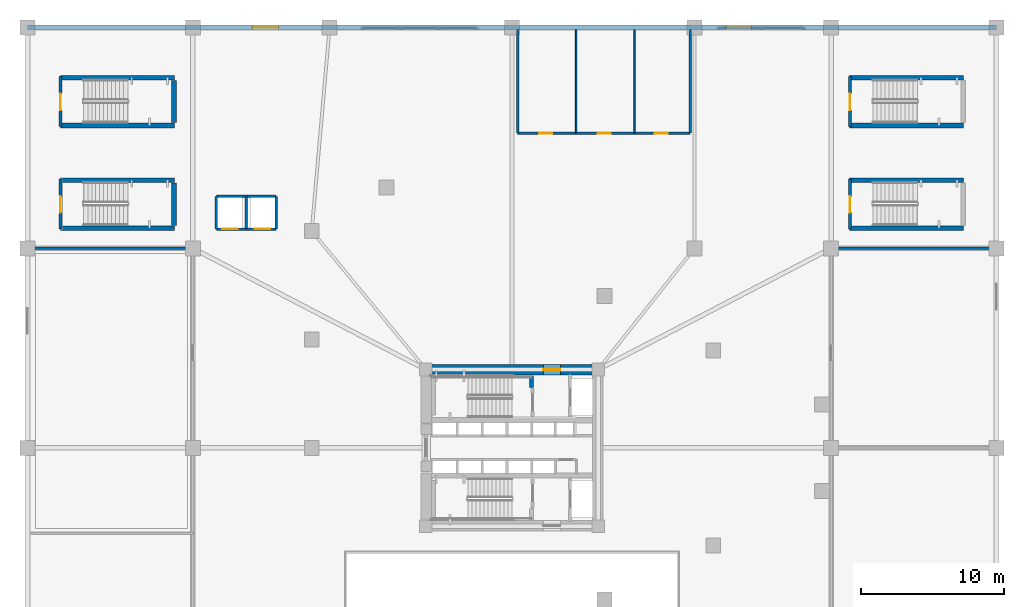
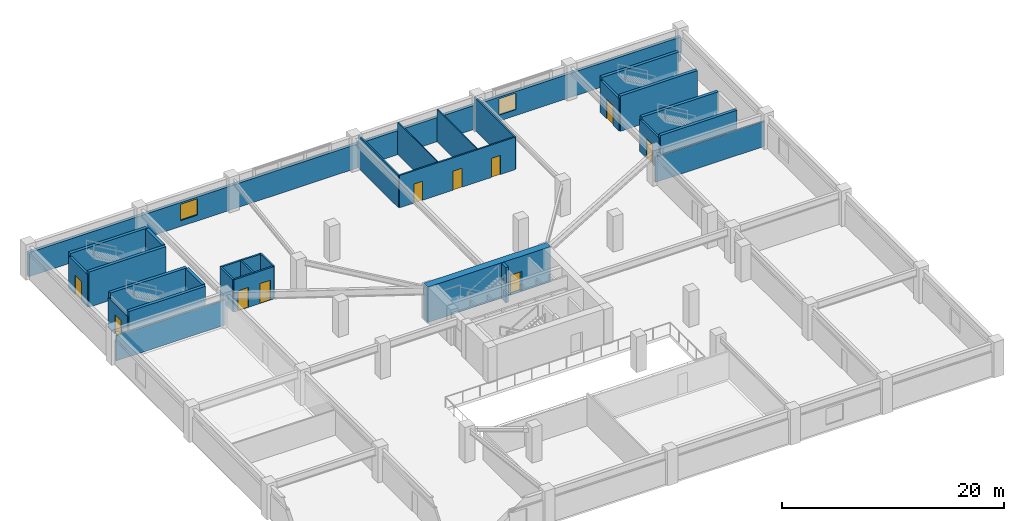
# One storey, part 6 of 16: 29 walls, 10 doors, 2 windows, 12 openings.
"""IFC4 building model written with IfcOpenShell, lengths in metres."""

from ifc_helpers import new_model, si_unit, direction, frame, frame_2d, origin, place, context, subcontext, project, spatial, rectangle, extrude, material, layer, layer_set, type_object, element, fill, save


model = new_model("IFC4")

# Units and contexts
model_context = context("Model", 3, precision=1e-05, world=origin(), true_north=direction((0.0, 1.0)))
body_context = subcontext(model_context, "Body", "Model", "MODEL_VIEW")
ifc_project = project(units=[si_unit("LENGTHUNIT", "METRE"), si_unit("AREAUNIT", "SQUARE_METRE"), si_unit("VOLUMEUNIT", "CUBIC_METRE"), si_unit("PLANEANGLEUNIT", "RADIAN"), si_unit("MASSUNIT", "GRAM", prefix="KILO")], contexts=[model_context])

# Site, building, storey
site_placement = place(None, origin())
site = spatial("IfcSite", under=ifc_project, at=site_placement, CompositionType="ELEMENT")
building_placement = place(site_placement, origin())
building = spatial("IfcBuilding", under=site, at=building_placement, Name="Yunling Apex Tower", CompositionType="ELEMENT")
storey_placement = place(building_placement, frame((0.0, 0.0, 4.5)))
storey = spatial("IfcBuildingStorey", under=building, at=storey_placement, Name="L02", CompositionType="ELEMENT", Elevation=4.5)

# Wall, opening, door
ifc_material_1 = material(Name="Concrete C60", Category="concrete")
ifc_layer_1 = layer(ifc_material_1, 0.75)
ifc_layer_set_1 = layer_set([ifc_layer_1], Name="Concrete C60")
wall_type_1 = type_object("IfcWallType", Name="WL-COR-1", PredefinedType="SHEAR", material=ifc_layer_set_1)
wall_1_placement = place(storey_placement, frame((-6.39990234375, 5.47509765625, 0.0), z_axis=(0.0, 0.0, 1.0), x_axis=(1.0, 0.0, 0.0)))
wall_1 = element("IfcWall", 1, at=wall_1_placement, inside=storey, type_object=wall_type_1, Name="L02 North Core Shear Wall", PredefinedType="SHEAR", context=body_context, shape_type="SweptSolid", body=[
    extrude(rectangle(XDim=12.7998046875, YDim=0.75, at=frame_2d((6.39990234375, 0.0))), origin(), (0.0, 0.0, 1.0), 3.89990234375),
])
opening_1_placement = place(wall_1_placement, frame((8.60009765625, 0.0, 0.0)))
opening_1 = element("IfcOpeningElement", 2, at=opening_1_placement, cuts=wall_1, Name="Opening DR-FFL-1", PredefinedType="OPENING", context=body_context, shape_type="SweptSolid", body=[
    extrude(rectangle(XDim=1.199951171875, YDim=2.199951171875, at=frame_2d((0.60009765625, 1.10009765625))), frame((0.0, 0.385009765625, 0.0), z_axis=(0.0, -1.0, 0.0), x_axis=(1.0, 0.0, 0.0)), (0.0, 0.0, 1.0), 0.77001953125),
])
ifc_material_2 = material(Name="Steel Q355B", Category="steel")
door_type_1 = type_object("IfcDoorType", Name="DR-FFL-1", OperationType="NOTDEFINED", PredefinedType="DOOR", material=ifc_material_2)
door_1_placement = place(opening_1_placement, origin())
door_1 = element("IfcDoor", 3, at=door_1_placement, inside=storey, type_object=door_type_1, Name="L02 North Firefighting Lobby Door", OperationType="SINGLE_SWING_LEFT", OverallHeight=2.199951171875, OverallWidth=1.199951171875, PredefinedType="DOOR", context=body_context, shape_type="SweptSolid", body=[
    extrude(rectangle(XDim=1.199951171875, YDim=2.199951171875, at=frame_2d((0.60009765625, 1.10009765625))), frame((0.0, 0.02490234375, 0.0), z_axis=(0.0, -1.0, 0.0), x_axis=(1.0, 0.0, 0.0)), (0.0, 0.0, 1.0), 0.050048828125),
])
fill(opening_1, door_1)

# Walls
ifc_material_3 = material(Name="Concrete C40", Category="concrete")
ifc_layer_2 = layer(ifc_material_3, 0.320068359375)
ifc_layer_set_2 = layer_set([ifc_layer_2], Name="Concrete C40")
wall_type_2 = type_object("IfcWallType", Name="WL-COR-7", PredefinedType="SHEAR", material=ifc_layer_set_2)
for number, where, z_axis, x_axis, name in (
    (4, (-31.699951171875, 18.780029296875, 0.0), (0.0, 0.0, 1.0), (1.0, 0.0, 0.0), "L02 STP1 North Bearing Wall"),
    (5, (-31.699951171875, 15.419921875, 0.0), (0.0, 0.0, 1.0), (1.0, 0.0, 0.0), "L02 STP1 South Bearing Wall"),
):
    element("IfcWall", number, at=place(storey_placement, frame(where, z_axis=z_axis, x_axis=x_axis)), inside=storey, type_object=wall_type_2, Name=name, PredefinedType="SHEAR", context=body_context, shape_type="SweptSolid", body=[
        extrude(rectangle(XDim=8.0, YDim=0.320068359375, at=frame_2d((4.0, 0.0))), origin(), (0.0, 0.0, 1.0), 3.89990234375),
    ])
wall_2_placement = place(storey_placement, frame((-23.719970703125, 15.6201171875, 0.0), z_axis=(0.0, 0.0, 1.0), x_axis=(0.0, 1.0, 0.0)))
element("IfcWall", 6, at=wall_2_placement, inside=storey, type_object=wall_type_2, Name="L02 STP1 Half-Landing Bearing Wall", PredefinedType="SHEAR", context=body_context, shape_type="SweptSolid", body=[
    extrude(rectangle(XDim=2.9599609375, YDim=0.320068359375, at=frame_2d((1.47998046875, 0.0))), origin(), (0.0, 0.0, 1.0), 3.89990234375),
])
for number, where, z_axis, x_axis, name in (
    (7, (23.699951171875, 18.780029296875, 0.0), (0.0, 0.0, 1.0), (1.0, 0.0, 0.0), "L02 STP2 North Bearing Wall"),
    (8, (23.699951171875, 15.419921875, 0.0), (0.0, 0.0, 1.0), (1.0, 0.0, 0.0), "L02 STP2 South Bearing Wall"),
    (9, (-31.699951171875, 25.97998046875, 0.0), (0.0, 0.0, 1.0), (1.0, 0.0, 0.0), "L02 STG1 North Bearing Wall"),
    (10, (-31.699951171875, 22.6201171875, 0.0), (0.0, 0.0, 1.0), (1.0, 0.0, 0.0), "L02 STG1 South Bearing Wall"),
):
    element("IfcWall", number, at=place(storey_placement, frame(where, z_axis=z_axis, x_axis=x_axis)), inside=storey, type_object=wall_type_2, Name=name, PredefinedType="SHEAR", context=body_context, shape_type="SweptSolid", body=[
        extrude(rectangle(XDim=8.0, YDim=0.320068359375, at=frame_2d((4.0, 0.0))), origin(), (0.0, 0.0, 1.0), 3.89990234375),
    ])
wall_3_placement = place(storey_placement, frame((-23.719970703125, 22.820068359375, 0.0), z_axis=(0.0, 0.0, 1.0), x_axis=(0.0, 1.0, 0.0)))
element("IfcWall", 11, at=wall_3_placement, inside=storey, type_object=wall_type_2, Name="L02 STG1 Half-Landing Bearing Wall", PredefinedType="SHEAR", context=body_context, shape_type="SweptSolid", body=[
    extrude(rectangle(XDim=2.9599609375, YDim=0.320068359375, at=frame_2d((1.47998046875, 0.0))), origin(), (0.0, 0.0, 1.0), 3.89990234375),
])
for number, where, z_axis, x_axis, name in (
    (12, (23.699951171875, 25.97998046875, 0.0), (0.0, 0.0, 1.0), (1.0, 0.0, 0.0), "L02 STG2 North Bearing Wall"),
    (13, (23.699951171875, 22.6201171875, 0.0), (0.0, 0.0, 1.0), (1.0, 0.0, 0.0), "L02 STG2 South Bearing Wall"),
):
    element("IfcWall", number, at=place(storey_placement, frame(where, z_axis=z_axis, x_axis=x_axis)), inside=storey, type_object=wall_type_2, Name=name, PredefinedType="SHEAR", context=body_context, shape_type="SweptSolid", body=[
        extrude(rectangle(XDim=8.0, YDim=0.320068359375, at=frame_2d((4.0, 0.0))), origin(), (0.0, 0.0, 1.0), 3.89990234375),
    ])
ifc_layer_3 = layer(ifc_material_3, 0.280029296875)
ifc_layer_set_3 = layer_set([ifc_layer_3], Name="Concrete C40")
wall_type_3 = type_object("IfcWallType", Name="WL-COR-8", PredefinedType="SHEAR", material=ifc_layer_set_3)
wall_4_placement = place(storey_placement, frame((1.3798828125, 4.25, 0.0), z_axis=(0.0, 0.0, 1.0), x_axis=(0.0, 1.0, 0.0)))
element("IfcWall", 14, at=wall_4_placement, inside=storey, type_object=wall_type_3, Name="L02 ST-1 East Landing Bearing Pier", PredefinedType="SHEAR", context=body_context, shape_type="SweptSolid", body=[
    extrude(rectangle(XDim=0.800048828125, YDim=0.280029296875, at=frame_2d((0.39990234375, 0.0))), origin(), (0.0, 0.0, 1.0), 3.89990234375),
])

# Wall, openings, windows
ifc_material_4 = material(Name="Precast concrete C40", Category="concrete")
ifc_layer_4 = layer(ifc_material_4, 0.320068359375)
ifc_layer_set_4 = layer_set([ifc_layer_4], Name="Precast concrete C40")
wall_type_4 = type_object("IfcWallType", Name="WL-EXT-1", PredefinedType="SOLIDWALL", material=ifc_layer_set_4)
wall_5_placement = place(storey_placement, frame((-34.0, 29.5, 0.0), z_axis=(0.0, 0.0, 1.0), x_axis=(1.0, 0.0, 0.0)))
wall_5 = element("IfcWall", 15, at=wall_5_placement, inside=storey, type_object=wall_type_4, Name="WL-POD-L02-N", PredefinedType="SOLIDWALL", context=body_context, shape_type="SweptSolid", body=[
    extrude(rectangle(XDim=68.0, YDim=0.320068359375, at=frame_2d((34.0, 0.0))), origin(), (0.0, 0.0, 1.0), 2.64990234375),
])
opening_2_placement = place(wall_5_placement, frame((15.800048828125, 0.0, 0.64990234375)))
opening_2 = element("IfcOpeningElement", 16, at=opening_2_placement, cuts=wall_5, Name="Opening WN-POD-2", PredefinedType="OPENING", context=body_context, shape_type="SweptSolid", body=[
    extrude(rectangle(XDim=1.800048828125, YDim=1.800048828125, at=frame_2d((0.89990234375, 0.89990234375))), frame((0.0, 0.169921875, 0.0), z_axis=(0.0, -1.0, 0.0), x_axis=(1.0, 0.0, 0.0)), (0.0, 0.0, 1.0), 0.340087890625),
])
opening_3_placement = place(wall_5_placement, frame((49.0, 0.0, 0.64990234375)))
opening_3 = element("IfcOpeningElement", 17, at=opening_3_placement, cuts=wall_5, Name="Opening WN-POD-2", PredefinedType="OPENING", context=body_context, shape_type="SweptSolid", body=[
    extrude(rectangle(XDim=1.800048828125, YDim=1.800048828125, at=frame_2d((0.89990234375, 0.89990234375))), frame((0.0, 0.169921875, 0.0), z_axis=(0.0, -1.0, 0.0), x_axis=(1.0, 0.0, 0.0)), (0.0, 0.0, 1.0), 0.340087890625),
])
ifc_material_5 = material(Name="Bronze tinted low-E glass", Category="glass")
window_type = type_object("IfcWindowType", Name="WN-POD-2", PartitioningType="SINGLE_PANEL", PredefinedType="WINDOW", material=ifc_material_5)
window_1_placement = place(opening_2_placement, origin())
window_1 = element("IfcWindow", 18, at=window_1_placement, inside=storey, type_object=window_type, Name="WN-L02-N-1", OverallHeight=1.800048828125, OverallWidth=1.800048828125, PartitioningType="SINGLE_PANEL", PredefinedType="WINDOW", context=body_context, shape_type="SweptSolid", body=[
    extrude(rectangle(XDim=1.800048828125, YDim=1.800048828125, at=frame_2d((0.89990234375, 0.89990234375))), frame((0.0, 0.030029296875, 0.0), z_axis=(0.0, -1.0, 0.0), x_axis=(1.0, 0.0, 0.0)), (0.0, 0.0, 1.0), 0.06005859375),
])
fill(opening_2, window_1)
window_2_placement = place(opening_3_placement, origin())
window_2 = element("IfcWindow", 19, at=window_2_placement, inside=storey, type_object=window_type, Name="WN-L02-N-2", OverallHeight=1.800048828125, OverallWidth=1.800048828125, PartitioningType="SINGLE_PANEL", PredefinedType="WINDOW", context=body_context, shape_type="SweptSolid", body=[
    extrude(rectangle(XDim=1.800048828125, YDim=1.800048828125, at=frame_2d((0.89990234375, 0.89990234375))), frame((0.0, 0.030029296875, 0.0), z_axis=(0.0, -1.0, 0.0), x_axis=(1.0, 0.0, 0.0)), (0.0, 0.0, 1.0), 0.06005859375),
])
fill(opening_3, window_2)

# Wall, openings, doors
ifc_material_6 = material(Name="Gypsum board acoustic partition")
ifc_layer_5 = layer(ifc_material_6, 0.159912109375)
ifc_layer_set_5 = layer_set([ifc_layer_5], Name="Gypsum board acoustic partition")
wall_type_5 = type_object("IfcWallType", Name="WL-PRT-1", PredefinedType="PARTITIONING", material=ifc_layer_set_5)
wall_6_placement = place(storey_placement, frame((0.39990234375, 22.080078125, 0.0), z_axis=(0.0, 0.0, 1.0), x_axis=(1.0, 0.0, 0.0)))
wall_6 = element("IfcWall", 20, at=wall_6_placement, inside=storey, type_object=wall_type_5, Name="WL-L02-WCS", PredefinedType="PARTITIONING", context=body_context, shape_type="SweptSolid", body=[
    extrude(rectangle(XDim=12.10009765625, YDim=0.159912109375, at=frame_2d((6.050048828125, 0.0))), origin(), (0.0, 0.0, 1.0), 3.570068359375),
])
opening_4_placement = place(wall_6_placement, frame((1.5, 0.0, 0.0)))
opening_4 = element("IfcOpeningElement", 21, at=opening_4_placement, cuts=wall_6, Name="Opening DR-WC-1", PredefinedType="OPENING", context=body_context, shape_type="SweptSolid", body=[
    extrude(rectangle(XDim=0.919921875, YDim=2.10009765625, at=frame_2d((0.4599609375, 1.050048828125))), frame((0.0, 0.08984375, 0.0), z_axis=(0.0, -1.0, 0.0), x_axis=(1.0, 0.0, 0.0)), (0.0, 0.0, 1.0), 0.179931640625),
])
opening_5_placement = place(wall_6_placement, frame((5.60009765625, 0.0, 0.0)))
opening_5 = element("IfcOpeningElement", 22, at=opening_5_placement, cuts=wall_6, Name="Opening DR-WC-1", PredefinedType="OPENING", context=body_context, shape_type="SweptSolid", body=[
    extrude(rectangle(XDim=0.919921875, YDim=2.10009765625, at=frame_2d((0.4599609375, 1.050048828125))), frame((0.0, 0.08984375, 0.0), z_axis=(0.0, -1.0, 0.0), x_axis=(1.0, 0.0, 0.0)), (0.0, 0.0, 1.0), 0.179931640625),
])
opening_6_placement = place(wall_6_placement, frame((9.60009765625, 0.0, 0.0)))
opening_6 = element("IfcOpeningElement", 23, at=opening_6_placement, cuts=wall_6, Name="Opening DR-WC-1", PredefinedType="OPENING", context=body_context, shape_type="SweptSolid", body=[
    extrude(rectangle(XDim=0.919921875, YDim=2.10009765625, at=frame_2d((0.4599609375, 1.050048828125))), frame((0.0, 0.08984375, 0.0), z_axis=(0.0, -1.0, 0.0), x_axis=(1.0, 0.0, 0.0)), (0.0, 0.0, 1.0), 0.179931640625),
])
ifc_material_7 = material(Name="Timber moisture-resistant leaf", Category="wood")
door_type_2 = type_object("IfcDoorType", Name="DR-WC-1", OperationType="NOTDEFINED", PredefinedType="DOOR", material=ifc_material_7)
door_2_placement = place(opening_4_placement, origin())
door_2 = element("IfcDoor", 24, at=door_2_placement, inside=storey, type_object=door_type_2, Name="L02 Male Toilet Door", OperationType="SINGLE_SWING_LEFT", OverallHeight=2.10009765625, OverallWidth=0.919921875, PredefinedType="DOOR", context=body_context, shape_type="SweptSolid", body=[
    extrude(rectangle(XDim=0.919921875, YDim=2.10009765625, at=frame_2d((0.4599609375, 1.050048828125))), frame((0.0, 0.02490234375, 0.0), z_axis=(0.0, -1.0, 0.0), x_axis=(1.0, 0.0, 0.0)), (0.0, 0.0, 1.0), 0.050048828125),
])
fill(opening_4, door_2)
door_3_placement = place(opening_5_placement, origin())
door_3 = element("IfcDoor", 25, at=door_3_placement, inside=storey, type_object=door_type_2, Name="L02 Female Toilet Door", OperationType="SINGLE_SWING_RIGHT", OverallHeight=2.10009765625, OverallWidth=0.919921875, PredefinedType="DOOR", context=body_context, shape_type="SweptSolid", body=[
    extrude(rectangle(XDim=0.919921875, YDim=2.10009765625, at=frame_2d((0.4599609375, 1.050048828125))), frame((0.0, 0.02490234375, 0.0), z_axis=(0.0, -1.0, 0.0), x_axis=(1.0, 0.0, 0.0)), (0.0, 0.0, 1.0), 0.050048828125),
])
fill(opening_5, door_3)
door_4_placement = place(opening_6_placement, origin())
door_4 = element("IfcDoor", 26, at=door_4_placement, inside=storey, type_object=door_type_2, Name="L02 Accessible WC Door", OperationType="SINGLE_SWING_LEFT", OverallHeight=2.10009765625, OverallWidth=0.919921875, PredefinedType="DOOR", context=body_context, shape_type="SweptSolid", body=[
    extrude(rectangle(XDim=0.919921875, YDim=2.10009765625, at=frame_2d((0.4599609375, 1.050048828125))), frame((0.0, 0.02490234375, 0.0), z_axis=(0.0, -1.0, 0.0), x_axis=(1.0, 0.0, 0.0)), (0.0, 0.0, 1.0), 0.050048828125),
])
fill(opening_6, door_4)

# Walls
for number, where, z_axis, x_axis, name in (
    (27, (0.39990234375, 22.080078125, 0.0), (0.0, 0.0, 1.0), (0.0, 1.0, 0.0), "WL-L02-WCW"),
    (28, (12.5, 22.080078125, 0.0), (0.0, 0.0, 1.0), (0.0, 1.0, 0.0), "WL-L02-WCE"),
):
    element("IfcWall", number, at=place(storey_placement, frame(where, z_axis=z_axis, x_axis=x_axis)), inside=storey, type_object=wall_type_5, Name=name, PredefinedType="PARTITIONING", context=body_context, shape_type="SweptSolid", body=[
        extrude(rectangle(XDim=7.27001953125, YDim=0.159912109375, at=frame_2d((3.635009765625, 0.0))), origin(), (0.0, 0.0, 1.0), 3.570068359375),
    ])
for number, where, z_axis, x_axis, name in (
    (29, (-33.800048828125, 14.0, 0.0), (0.0, 0.0, 1.0), (1.0, 0.0, 0.0), "WL-L02-WN"),
    (30, (22.39990234375, 14.0, 0.0), (0.0, 0.0, 1.0), (1.0, 0.0, 0.0), "WL-L02-EN"),
):
    element("IfcWall", number, at=place(storey_placement, frame(where, z_axis=z_axis, x_axis=x_axis)), inside=storey, type_object=wall_type_5, Name=name, PredefinedType="PARTITIONING", context=body_context, shape_type="SweptSolid", body=[
        extrude(rectangle(XDim=11.400146484375, YDim=0.159912109375, at=frame_2d((5.7001953125, 0.0))), origin(), (0.0, 0.0, 1.0), 2.77490234375),
    ])
ifc_layer_6 = layer(ifc_material_6, 0.10009765625)
ifc_layer_set_6 = layer_set([ifc_layer_6], Name="Gypsum board acoustic partition")
wall_type_6 = type_object("IfcWallType", Name="WL-PRT-4", PredefinedType="PARTITIONING", material=ifc_layer_set_6)
for number, where, z_axis, x_axis, name in (
    (31, (4.5, 22.080078125, 0.0), (0.0, 0.0, 1.0), (0.0, 1.0, 0.0), "WL-L02-WCD1"),
    (32, (8.60009765625, 22.080078125, 0.0), (0.0, 0.0, 1.0), (0.0, 1.0, 0.0), "WL-L02-WCD2"),
):
    element("IfcWall", number, at=place(storey_placement, frame(where, z_axis=z_axis, x_axis=x_axis)), inside=storey, type_object=wall_type_6, Name=name, PredefinedType="PARTITIONING", context=body_context, shape_type="SweptSolid", body=[
        extrude(rectangle(XDim=7.27001953125, YDim=0.10009765625, at=frame_2d((3.635009765625, 0.0))), origin(), (0.0, 0.0, 1.0), 3.570068359375),
    ])

# Wall, opening, door
ifc_material_8 = material(Name="Autoclaved aerated concrete masonry", Category="masonry")
ifc_layer_7 = layer(ifc_material_8, 0.219970703125)
ifc_layer_set_7 = layer_set([ifc_layer_7], Name="Autoclaved aerated concrete masonry")
wall_type_7 = type_object("IfcWallType", Name="WL-SHF-1", PredefinedType="PLUMBINGWALL", material=ifc_layer_set_7)
wall_7_placement = place(storey_placement, frame((-31.679931640625, 15.35009765625, 0.0), z_axis=(0.0, 0.0, 1.0), x_axis=(0.0, 1.0, 0.0)))
wall_7 = element("IfcWall", 33, at=wall_7_placement, inside=storey, type_object=wall_type_7, Name="WL-STP1-W-L02", PredefinedType="PLUMBINGWALL", context=body_context, shape_type="SweptSolid", body=[
    extrude(rectangle(XDim=3.5, YDim=0.219970703125, at=frame_2d((1.75, 0.0))), origin(), (0.0, 0.0, 1.0), 3.300048828125),
])
opening_7_placement = place(wall_7_placement, frame((1.14990234375, 0.0, 0.0)))
opening_7 = element("IfcOpeningElement", 34, at=opening_7_placement, cuts=wall_7, Name="Opening DR-ST-1", PredefinedType="OPENING", context=body_context, shape_type="SweptSolid", body=[
    extrude(rectangle(XDim=1.14990234375, YDim=2.14990234375, at=frame_2d((0.574951171875, 1.074951171875))), frame((0.0, 0.1201171875, 0.0), z_axis=(0.0, -1.0, 0.0), x_axis=(1.0, 0.0, 0.0)), (0.0, 0.0, 1.0), 0.239990234375),
])
door_type_3 = type_object("IfcDoorType", Name="DR-ST-1", OperationType="NOTDEFINED", PredefinedType="DOOR", material=ifc_material_2)
door_5_placement = place(opening_7_placement, origin())
door_5 = element("IfcDoor", 35, at=door_5_placement, inside=storey, type_object=door_type_3, Name="L02 Stair ST-P1 Door", OperationType="SINGLE_SWING_LEFT", OverallHeight=2.14990234375, OverallWidth=1.14990234375, PredefinedType="DOOR", context=body_context, shape_type="SweptSolid", body=[
    extrude(rectangle(XDim=1.14990234375, YDim=2.14990234375, at=frame_2d((0.574951171875, 1.074951171875))), frame((0.0, 0.02490234375, 0.0), z_axis=(0.0, -1.0, 0.0), x_axis=(1.0, 0.0, 0.0)), (0.0, 0.0, 1.0), 0.050048828125),
])
fill(opening_7, door_5)

wall_8_placement = place(storey_placement, frame((23.719970703125, 15.35009765625, 0.0), z_axis=(0.0, 0.0, 1.0), x_axis=(0.0, 1.0, 0.0)))
wall_8 = element("IfcWall", 36, at=wall_8_placement, inside=storey, type_object=wall_type_7, Name="WL-STP2-W-L02", PredefinedType="PLUMBINGWALL", context=body_context, shape_type="SweptSolid", body=[
    extrude(rectangle(XDim=3.5, YDim=0.219970703125, at=frame_2d((1.75, 0.0))), origin(), (0.0, 0.0, 1.0), 3.570068359375),
])
opening_8_placement = place(wall_8_placement, frame((1.14990234375, 0.0, 0.0)))
opening_8 = element("IfcOpeningElement", 37, at=opening_8_placement, cuts=wall_8, Name="Opening DR-ST-1", PredefinedType="OPENING", context=body_context, shape_type="SweptSolid", body=[
    extrude(rectangle(XDim=1.14990234375, YDim=2.14990234375, at=frame_2d((0.574951171875, 1.074951171875))), frame((0.0, 0.1201171875, 0.0), z_axis=(0.0, -1.0, 0.0), x_axis=(1.0, 0.0, 0.0)), (0.0, 0.0, 1.0), 0.239990234375),
])
door_6_placement = place(opening_8_placement, origin())
door_6 = element("IfcDoor", 38, at=door_6_placement, inside=storey, type_object=door_type_3, Name="L02 Stair ST-P2 Door", OperationType="SINGLE_SWING_RIGHT", OverallHeight=2.14990234375, OverallWidth=1.14990234375, PredefinedType="DOOR", context=body_context, shape_type="SweptSolid", body=[
    extrude(rectangle(XDim=1.14990234375, YDim=2.14990234375, at=frame_2d((0.574951171875, 1.074951171875))), frame((0.0, 0.02490234375, 0.0), z_axis=(0.0, -1.0, 0.0), x_axis=(1.0, 0.0, 0.0)), (0.0, 0.0, 1.0), 0.050048828125),
])
fill(opening_8, door_6)

wall_9_placement = place(storey_placement, frame((-31.679931640625, 22.550048828125, 0.0), z_axis=(0.0, 0.0, 1.0), x_axis=(0.0, 1.0, 0.0)))
wall_9 = element("IfcWall", 39, at=wall_9_placement, inside=storey, type_object=wall_type_7, Name="WL-STG1-W-L02", PredefinedType="PLUMBINGWALL", context=body_context, shape_type="SweptSolid", body=[
    extrude(rectangle(XDim=3.5, YDim=0.219970703125, at=frame_2d((1.75, 0.0))), origin(), (0.0, 0.0, 1.0), 3.570068359375),
])
opening_9_placement = place(wall_9_placement, frame((1.14990234375, 0.0, 0.0)))
opening_9 = element("IfcOpeningElement", 40, at=opening_9_placement, cuts=wall_9, Name="Opening DR-ST-1", PredefinedType="OPENING", context=body_context, shape_type="SweptSolid", body=[
    extrude(rectangle(XDim=1.14990234375, YDim=2.14990234375, at=frame_2d((0.574951171875, 1.074951171875))), frame((0.0, 0.1201171875, 0.0), z_axis=(0.0, -1.0, 0.0), x_axis=(1.0, 0.0, 0.0)), (0.0, 0.0, 1.0), 0.239990234375),
])
door_7_placement = place(opening_9_placement, origin())
door_7 = element("IfcDoor", 41, at=door_7_placement, inside=storey, type_object=door_type_3, Name="L02 Garden Stair ST-G1 Door", OperationType="SINGLE_SWING_LEFT", OverallHeight=2.14990234375, OverallWidth=1.14990234375, PredefinedType="DOOR", context=body_context, shape_type="SweptSolid", body=[
    extrude(rectangle(XDim=1.14990234375, YDim=2.14990234375, at=frame_2d((0.574951171875, 1.074951171875))), frame((0.0, 0.02490234375, 0.0), z_axis=(0.0, -1.0, 0.0), x_axis=(1.0, 0.0, 0.0)), (0.0, 0.0, 1.0), 0.050048828125),
])
fill(opening_9, door_7)

wall_10_placement = place(storey_placement, frame((23.719970703125, 22.550048828125, 0.0), z_axis=(0.0, 0.0, 1.0), x_axis=(0.0, 1.0, 0.0)))
wall_10 = element("IfcWall", 42, at=wall_10_placement, inside=storey, type_object=wall_type_7, Name="WL-STG2-W-L02", PredefinedType="PLUMBINGWALL", context=body_context, shape_type="SweptSolid", body=[
    extrude(rectangle(XDim=3.5, YDim=0.219970703125, at=frame_2d((1.75, 0.0))), origin(), (0.0, 0.0, 1.0), 3.570068359375),
])
opening_10_placement = place(wall_10_placement, frame((1.14990234375, 0.0, 0.0)))
opening_10 = element("IfcOpeningElement", 43, at=opening_10_placement, cuts=wall_10, Name="Opening DR-ST-1", PredefinedType="OPENING", context=body_context, shape_type="SweptSolid", body=[
    extrude(rectangle(XDim=1.14990234375, YDim=2.14990234375, at=frame_2d((0.574951171875, 1.074951171875))), frame((0.0, 0.1201171875, 0.0), z_axis=(0.0, -1.0, 0.0), x_axis=(1.0, 0.0, 0.0)), (0.0, 0.0, 1.0), 0.239990234375),
])
door_8_placement = place(opening_10_placement, origin())
door_8 = element("IfcDoor", 44, at=door_8_placement, inside=storey, type_object=door_type_3, Name="L02 Garden Stair ST-G2 Door", OperationType="SINGLE_SWING_RIGHT", OverallHeight=2.14990234375, OverallWidth=1.14990234375, PredefinedType="DOOR", context=body_context, shape_type="SweptSolid", body=[
    extrude(rectangle(XDim=1.14990234375, YDim=2.14990234375, at=frame_2d((0.574951171875, 1.074951171875))), frame((0.0, 0.02490234375, 0.0), z_axis=(0.0, -1.0, 0.0), x_axis=(1.0, 0.0, 0.0)), (0.0, 0.0, 1.0), 0.050048828125),
])
fill(opening_10, door_8)

# Wall, openings, doors
ifc_layer_8 = layer(ifc_material_8, 0.179931640625)
ifc_layer_set_8 = layer_set([ifc_layer_8], Name="Autoclaved aerated concrete masonry")
wall_type_8 = type_object("IfcWallType", Name="WL-SHF-2", PredefinedType="PLUMBINGWALL", material=ifc_layer_set_8)
wall_11_placement = place(storey_placement, frame((-20.75, 15.35009765625, 0.0), z_axis=(0.0, 0.0, 1.0), x_axis=(1.0, 0.0, 0.0)))
wall_11 = element("IfcWall", 45, at=wall_11_placement, inside=storey, type_object=wall_type_8, Name="WL-PLP-S-L02", PredefinedType="PLUMBINGWALL", context=body_context, shape_type="SweptSolid", body=[
    extrude(rectangle(XDim=4.199951171875, YDim=0.179931640625, at=frame_2d((2.10009765625, 0.0))), origin(), (0.0, 0.0, 1.0), 3.570068359375),
])
opening_11_placement = place(wall_11_placement, frame((0.39990234375, 0.0, 0.0)))
opening_11 = element("IfcOpeningElement", 46, at=opening_11_placement, cuts=wall_11, Name="Opening LD-PAS-1", PredefinedType="OPENING", context=body_context, shape_type="SweptSolid", body=[
    extrude(rectangle(XDim=1.10009765625, YDim=2.199951171875, at=frame_2d((0.550048828125, 1.10009765625))), frame((0.0, 0.10009765625, 0.0), z_axis=(0.0, -1.0, 0.0), x_axis=(1.0, 0.0, 0.0)), (0.0, 0.0, 1.0), 0.199951171875),
])
opening_12_placement = place(wall_11_placement, frame((2.699951171875, 0.0, 0.0)))
opening_12 = element("IfcOpeningElement", 47, at=opening_12_placement, cuts=wall_11, Name="Opening LD-PAS-1", PredefinedType="OPENING", context=body_context, shape_type="SweptSolid", body=[
    extrude(rectangle(XDim=1.10009765625, YDim=2.199951171875, at=frame_2d((0.550048828125, 1.10009765625))), frame((0.0, 0.10009765625, 0.0), z_axis=(0.0, -1.0, 0.0), x_axis=(1.0, 0.0, 0.0)), (0.0, 0.0, 1.0), 0.199951171875),
])
ifc_material_9 = material(Name="Silver anodised aluminium", Category="aluminium")
door_type_4 = type_object("IfcDoorType", Name="LD-PAS-1", OperationType="DOUBLE_DOOR_SLIDING", PredefinedType="DOOR", material=ifc_material_9)
door_9_placement = place(opening_11_placement, origin())
door_9 = element("IfcDoor", 48, at=door_9_placement, inside=storey, type_object=door_type_4, Name="L02 Lift PL-P1 Landing Door", OperationType="DOUBLE_DOOR_SLIDING", OverallHeight=2.199951171875, OverallWidth=1.10009765625, PredefinedType="DOOR", context=body_context, shape_type="SweptSolid", body=[
    extrude(rectangle(XDim=1.10009765625, YDim=2.199951171875, at=frame_2d((0.550048828125, 1.10009765625))), frame((0.0, 0.02490234375, 0.0), z_axis=(0.0, -1.0, 0.0), x_axis=(1.0, 0.0, 0.0)), (0.0, 0.0, 1.0), 0.050048828125),
])
fill(opening_11, door_9)
door_10_placement = place(opening_12_placement, origin())
door_10 = element("IfcDoor", 49, at=door_10_placement, inside=storey, type_object=door_type_4, Name="L02 Lift PL-P2 Landing Door", OperationType="DOUBLE_DOOR_SLIDING", OverallHeight=2.199951171875, OverallWidth=1.10009765625, PredefinedType="DOOR", context=body_context, shape_type="SweptSolid", body=[
    extrude(rectangle(XDim=1.10009765625, YDim=2.199951171875, at=frame_2d((0.550048828125, 1.10009765625))), frame((0.0, 0.02490234375, 0.0), z_axis=(0.0, -1.0, 0.0), x_axis=(1.0, 0.0, 0.0)), (0.0, 0.0, 1.0), 0.050048828125),
])
fill(opening_12, door_10)

# Walls
wall_12_placement = place(storey_placement, frame((-20.75, 17.64990234375, 0.0), z_axis=(0.0, 0.0, 1.0), x_axis=(1.0, 0.0, 0.0)))
element("IfcWall", 50, at=wall_12_placement, inside=storey, type_object=wall_type_8, Name="WL-PLP-N-L02", PredefinedType="PLUMBINGWALL", context=body_context, shape_type="SweptSolid", body=[
    extrude(rectangle(XDim=4.199951171875, YDim=0.179931640625, at=frame_2d((2.10009765625, 0.0))), origin(), (0.0, 0.0, 1.0), 3.570068359375),
])
for number, where, z_axis, x_axis, name in (
    (51, (-20.75, 15.35009765625, 0.0), (0.0, 0.0, 1.0), (0.0, 1.0, 0.0), "WL-PLP-W-L02"),
    (52, (-18.64990234375, 15.35009765625, 0.0), (0.0, 0.0, 1.0), (0.0, 1.0, 0.0), "WL-PLP-M-L02"),
    (53, (-16.550048828125, 15.35009765625, 0.0), (0.0, 0.0, 1.0), (0.0, 1.0, 0.0), "WL-PLP-E-L02"),
):
    element("IfcWall", number, at=place(storey_placement, frame(where, z_axis=z_axis, x_axis=x_axis)), inside=storey, type_object=wall_type_8, Name=name, PredefinedType="PLUMBINGWALL", context=body_context, shape_type="SweptSolid", body=[
        extrude(rectangle(XDim=2.2998046875, YDim=0.179931640625, at=frame_2d((1.14990234375, 0.0))), origin(), (0.0, 0.0, 1.0), 3.570068359375),
    ])

save(model, "model.ifc")
